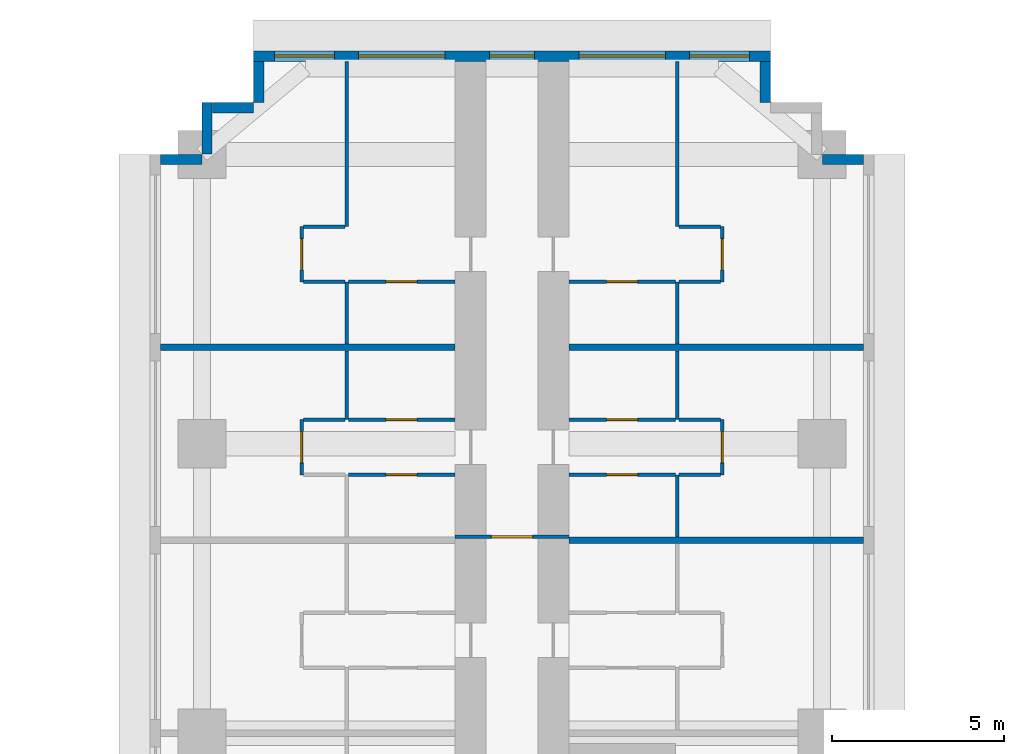
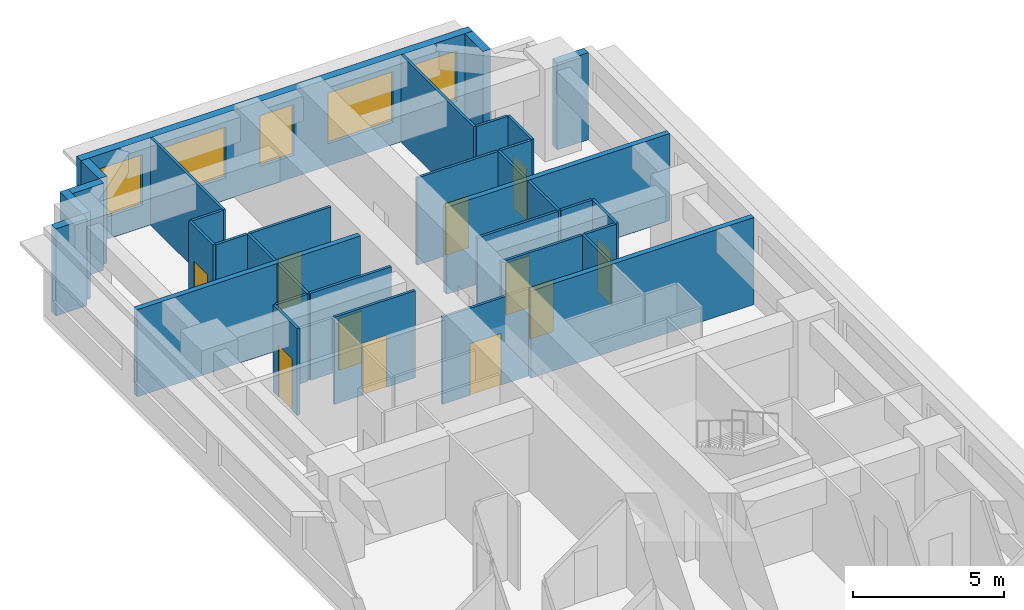
# One storey, part 14 of 16: 35 walls, 11 doors, 5 windows, 16 openings.
"""IFC4 building model written with IfcOpenShell, lengths in metres."""

from ifc_helpers import new_model, si_unit, direction, frame, frame_2d, origin, place, context, subcontext, project, spatial, rectangle, extrude, material, layer, layer_set, type_object, element, fill, save


model = new_model("IFC4")

# Units and contexts
model_context = context("Model", 3, precision=1e-05, world=origin(), true_north=direction((0.0, 1.0)))
body_context = subcontext(model_context, "Body", "Model", "MODEL_VIEW")
ifc_project = project(units=[si_unit("LENGTHUNIT", "METRE"), si_unit("AREAUNIT", "SQUARE_METRE"), si_unit("VOLUMEUNIT", "CUBIC_METRE"), si_unit("PLANEANGLEUNIT", "RADIAN"), si_unit("MASSUNIT", "GRAM", prefix="KILO")], contexts=[model_context])

# Site, building, storey
site_placement = place(None, origin())
site = spatial("IfcSite", under=ifc_project, at=site_placement, CompositionType="ELEMENT")
building_placement = place(site_placement, origin())
building = spatial("IfcBuilding", under=site, at=building_placement, Name="Impinga Residences", CompositionType="ELEMENT")
storey_placement = place(building_placement, frame((0.0, 0.0, 52.25)))
storey = spatial("IfcBuildingStorey", under=building, at=storey_placement, Name="L12", CompositionType="ELEMENT", Elevation=52.25)

# Wall, opening, door
ifc_material_1 = material(Name="Concrete blockwork", Category="masonry")
ifc_layer_1 = layer(ifc_material_1, 0.10009765625)
ifc_layer_set_1 = layer_set([ifc_layer_1], Name="CP1 core room partition, blockwork 100")
wall_type_1 = type_object("IfcWallType", Name="CP1 core room partition, blockwork 100", PredefinedType="PARTITIONING", material=ifc_layer_set_1)
wall_1_placement = place(storey_placement, frame((-1.64990234375, 33.93798828125, 0.0), z_axis=(0.0, 0.0, 1.0), x_axis=(1.0, 0.0, 0.0)))
wall_1 = element("IfcWall", 1, at=wall_1_placement, inside=storey, type_object=wall_type_1, Name="Core room partition, blockwork L12:N:SCR", PredefinedType="PARTITIONING", context=body_context, shape_type="SweptSolid", body=[
    extrude(rectangle(XDim=3.2998046875, YDim=0.10009765625, at=frame_2d((1.64990234375, 0.0))), origin(), (0.0, 0.0, 1.0), 3.530029296875),
])
opening_1_placement = place(wall_1_placement, frame((1.050048828125, 0.0, 0.0)))
opening_1 = element("IfcOpeningElement", 2, at=opening_1_placement, cuts=wall_1, Name="Opening D3", PredefinedType="OPENING", context=body_context, shape_type="SweptSolid", body=[
    extrude(rectangle(XDim=1.199951171875, YDim=2.10009765625, at=frame_2d((0.60009765625, 1.050048828125))), frame((0.0, 0.06005859375, 0.0), z_axis=(0.0, -1.0, 0.0), x_axis=(1.0, 0.0, 0.0)), (0.0, 0.0, 1.0), 0.1201171875),
])
ifc_material_2 = material(Name="Timber door set", Category="wood")
door_type_1 = type_object("IfcDoorType", Name="D3 room door, leaf and a half 1200x2100", OperationType="DOUBLE_SWING_LEFT", PredefinedType="DOOR", material=ifc_material_2)
door_1_placement = place(opening_1_placement, origin())
door_1 = element("IfcDoor", 3, at=door_1_placement, inside=storey, type_object=door_type_1, Name="Corridor smoke door N", OperationType="DOUBLE_SWING_LEFT", OverallHeight=2.10009765625, OverallWidth=1.199951171875, PredefinedType="DOOR", context=body_context, shape_type="SweptSolid", body=[
    extrude(rectangle(XDim=1.199951171875, YDim=2.10009765625, at=frame_2d((0.60009765625, 1.050048828125))), frame((0.0, 0.02490234375, 0.0), z_axis=(0.0, -1.0, 0.0), x_axis=(1.0, 0.0, 0.0)), (0.0, 0.0, 1.0), 0.050048828125),
])
fill(opening_1, door_1)

# Walls
ifc_material_3 = material(Name="Terracotta rainscreen on blockwork", Category="masonry")
ifc_layer_2 = layer(ifc_material_3, 0.300048828125)
ifc_layer_set_2 = layer_set([ifc_layer_2], Name="EW1 external wall, terracotta rainscreen on blockwork 300")
wall_type_2 = type_object("IfcWallType", Name="EW1 external wall, terracotta rainscreen on blockwork 300", PredefinedType="SOLIDWALL", material=ifc_layer_set_2)
wall_2_placement = place(storey_placement, frame((-10.199951171875, 44.881591796875, 0.0), z_axis=(0.0, 0.0, 1.0), x_axis=(1.0, 0.0, 0.0)))
element("IfcWall", 4, at=wall_2_placement, inside=storey, type_object=wall_type_2, Name="External wall EW1 L12", PredefinedType="SOLIDWALL", context=body_context, shape_type="SweptSolid", body=[
    extrude(rectangle(XDim=1.199951171875, YDim=0.300048828125, at=frame_2d((0.60009765625, 0.0))), origin(), (0.0, 0.0, 1.0), 3.530029296875),
])
wall_3_placement = place(storey_placement, frame((-8.85009765625, 45.03662109375, 0.0), z_axis=(0.0, 0.0, 1.0), x_axis=(0.0, 1.0, 0.0)))
element("IfcWall", 5, at=wall_3_placement, inside=storey, type_object=wall_type_2, Name="External wall EW1 L12", PredefinedType="SOLIDWALL", context=body_context, shape_type="SweptSolid", body=[
    extrude(rectangle(XDim=1.494873046875, YDim=0.300048828125, at=frame_2d((0.74755859375, 0.0))), origin(), (0.0, 0.0, 1.0), 3.530029296875),
])
wall_4_placement = place(storey_placement, frame((-8.699951171875, 46.381591796875, 0.0), z_axis=(0.0, 0.0, 1.0), x_axis=(1.0, 0.0, 0.0)))
element("IfcWall", 6, at=wall_4_placement, inside=storey, type_object=wall_type_2, Name="External wall EW1 L12", PredefinedType="SOLIDWALL", context=body_context, shape_type="SweptSolid", body=[
    extrude(rectangle(XDim=1.199951171875, YDim=0.300048828125, at=frame_2d((0.60009765625, 0.0))), origin(), (0.0, 0.0, 1.0), 3.530029296875),
])
wall_5_placement = place(storey_placement, frame((-7.35009765625, 46.53662109375, 0.0), z_axis=(0.0, 0.0, 1.0), x_axis=(0.0, 1.0, 0.0)))
element("IfcWall", 7, at=wall_5_placement, inside=storey, type_object=wall_type_2, Name="External wall EW1 L12", PredefinedType="SOLIDWALL", context=body_context, shape_type="SweptSolid", body=[
    extrude(rectangle(XDim=1.19482421875, YDim=0.300048828125, at=frame_2d((0.597412109375, 0.0))), origin(), (0.0, 0.0, 1.0), 3.530029296875),
])

# Wall, openings, windows
wall_6_placement = place(storey_placement, frame((-7.5, 47.881591796875, 0.0), z_axis=(0.0, 0.0, 1.0), x_axis=(1.0, 0.0, 0.0)))
wall_6 = element("IfcWall", 8, at=wall_6_placement, inside=storey, type_object=wall_type_2, Name="External wall EW1 L12", PredefinedType="SOLIDWALL", context=body_context, shape_type="SweptSolid", body=[
    extrude(rectangle(XDim=15.0, YDim=0.300048828125, at=frame_2d((7.5, 0.0))), origin(), (0.0, 0.0, 1.0), 3.530029296875),
])
opening_2_placement = place(wall_6_placement, frame((0.60009765625, 0.0, 0.89990234375)))
opening_2 = element("IfcOpeningElement", 9, at=opening_2_placement, cuts=wall_6, Name="Opening W1", PredefinedType="OPENING", context=body_context, shape_type="SweptSolid", body=[
    extrude(rectangle(XDim=1.75, YDim=2.050048828125, at=frame_2d((0.875, 1.02490234375))), frame((0.0, 0.159912109375, 0.0), z_axis=(0.0, -1.0, 0.0), x_axis=(1.0, 0.0, 0.0)), (0.0, 0.0, 1.0), 0.320068359375),
])
opening_3_placement = place(wall_6_placement, frame((3.050048828125, 0.0, 0.89990234375)))
opening_3 = element("IfcOpeningElement", 10, at=opening_3_placement, cuts=wall_6, Name="Opening W2", PredefinedType="OPENING", context=body_context, shape_type="SweptSolid", body=[
    extrude(rectangle(XDim=2.5, YDim=2.050048828125, at=frame_2d((1.25, 1.02490234375))), frame((0.0, 0.159912109375, 0.0), z_axis=(0.0, -1.0, 0.0), x_axis=(1.0, 0.0, 0.0)), (0.0, 0.0, 1.0), 0.320068359375),
])
opening_4_placement = place(wall_6_placement, frame((6.85009765625, 0.0, 0.89990234375)))
opening_4 = element("IfcOpeningElement", 11, at=opening_4_placement, cuts=wall_6, Name="Opening WE1", PredefinedType="OPENING", context=body_context, shape_type="SweptSolid", body=[
    extrude(rectangle(XDim=1.300048828125, YDim=2.050048828125, at=frame_2d((0.64990234375, 1.02490234375))), frame((0.0, 0.159912109375, 0.0), z_axis=(0.0, -1.0, 0.0), x_axis=(1.0, 0.0, 0.0)), (0.0, 0.0, 1.0), 0.320068359375),
])
opening_5_placement = place(wall_6_placement, frame((9.449951171875, 0.0, 0.89990234375)))
opening_5 = element("IfcOpeningElement", 12, at=opening_5_placement, cuts=wall_6, Name="Opening W2", PredefinedType="OPENING", context=body_context, shape_type="SweptSolid", body=[
    extrude(rectangle(XDim=2.5, YDim=2.050048828125, at=frame_2d((1.25, 1.02490234375))), frame((0.0, 0.159912109375, 0.0), z_axis=(0.0, -1.0, 0.0), x_axis=(1.0, 0.0, 0.0)), (0.0, 0.0, 1.0), 0.320068359375),
])
opening_6_placement = place(wall_6_placement, frame((12.64990234375, 0.0, 0.89990234375)))
opening_6 = element("IfcOpeningElement", 13, at=opening_6_placement, cuts=wall_6, Name="Opening W1", PredefinedType="OPENING", context=body_context, shape_type="SweptSolid", body=[
    extrude(rectangle(XDim=1.75, YDim=2.050048828125, at=frame_2d((0.875, 1.02490234375))), frame((0.0, 0.159912109375, 0.0), z_axis=(0.0, -1.0, 0.0), x_axis=(1.0, 0.0, 0.0)), (0.0, 0.0, 1.0), 0.320068359375),
])
ifc_material_4 = material(Name="Aluminium window, clear double glazing", Category="aluminium")
window_type_1 = type_object("IfcWindowType", Name="W1 ribbon window 1750x2050", PartitioningType="SINGLE_PANEL", PredefinedType="WINDOW", material=ifc_material_4)
window_1_placement = place(opening_2_placement, origin())
window_1 = element("IfcWindow", 14, at=window_1_placement, inside=storey, type_object=window_type_1, Name="Window L12", OverallHeight=2.050048828125, OverallWidth=1.75, PartitioningType="SINGLE_PANEL", PredefinedType="WINDOW", context=body_context, shape_type="SweptSolid", body=[
    extrude(rectangle(XDim=1.75, YDim=2.050048828125, at=frame_2d((0.875, 1.02490234375))), frame((0.0, 0.030029296875, 0.0), z_axis=(0.0, -1.0, 0.0), x_axis=(1.0, 0.0, 0.0)), (0.0, 0.0, 1.0), 0.06005859375),
])
fill(opening_2, window_1)
window_2_placement = place(opening_6_placement, origin())
window_2 = element("IfcWindow", 15, at=window_2_placement, inside=storey, type_object=window_type_1, Name="Window L12", OverallHeight=2.050048828125, OverallWidth=1.75, PartitioningType="SINGLE_PANEL", PredefinedType="WINDOW", context=body_context, shape_type="SweptSolid", body=[
    extrude(rectangle(XDim=1.75, YDim=2.050048828125, at=frame_2d((0.875, 1.02490234375))), frame((0.0, 0.030029296875, 0.0), z_axis=(0.0, -1.0, 0.0), x_axis=(1.0, 0.0, 0.0)), (0.0, 0.0, 1.0), 0.06005859375),
])
fill(opening_6, window_2)
window_type_2 = type_object("IfcWindowType", Name="W2 ribbon window 2500x2050", PartitioningType="SINGLE_PANEL", PredefinedType="WINDOW", material=ifc_material_4)
window_3_placement = place(opening_3_placement, origin())
window_3 = element("IfcWindow", 16, at=window_3_placement, inside=storey, type_object=window_type_2, Name="Window L12", OverallHeight=2.050048828125, OverallWidth=2.5, PartitioningType="SINGLE_PANEL", PredefinedType="WINDOW", context=body_context, shape_type="SweptSolid", body=[
    extrude(rectangle(XDim=2.5, YDim=2.050048828125, at=frame_2d((1.25, 1.02490234375))), frame((0.0, 0.030029296875, 0.0), z_axis=(0.0, -1.0, 0.0), x_axis=(1.0, 0.0, 0.0)), (0.0, 0.0, 1.0), 0.06005859375),
])
fill(opening_3, window_3)
window_4_placement = place(opening_5_placement, origin())
window_4 = element("IfcWindow", 17, at=window_4_placement, inside=storey, type_object=window_type_2, Name="Window L12", OverallHeight=2.050048828125, OverallWidth=2.5, PartitioningType="SINGLE_PANEL", PredefinedType="WINDOW", context=body_context, shape_type="SweptSolid", body=[
    extrude(rectangle(XDim=2.5, YDim=2.050048828125, at=frame_2d((1.25, 1.02490234375))), frame((0.0, 0.030029296875, 0.0), z_axis=(0.0, -1.0, 0.0), x_axis=(1.0, 0.0, 0.0)), (0.0, 0.0, 1.0), 0.06005859375),
])
fill(opening_5, window_4)
window_type_3 = type_object("IfcWindowType", Name="WE1 corridor window 1300x2050", PartitioningType="SINGLE_PANEL", PredefinedType="WINDOW", material=ifc_material_4)
window_5_placement = place(opening_4_placement, origin())
window_5 = element("IfcWindow", 18, at=window_5_placement, inside=storey, type_object=window_type_3, Name="Window L12", OverallHeight=2.050048828125, OverallWidth=1.300048828125, PartitioningType="SINGLE_PANEL", PredefinedType="WINDOW", context=body_context, shape_type="SweptSolid", body=[
    extrude(rectangle(XDim=1.300048828125, YDim=2.050048828125, at=frame_2d((0.64990234375, 1.02490234375))), frame((0.0, 0.030029296875, 0.0), z_axis=(0.0, -1.0, 0.0), x_axis=(1.0, 0.0, 0.0)), (0.0, 0.0, 1.0), 0.06005859375),
])
fill(opening_4, window_5)

# Walls
wall_7_placement = place(storey_placement, frame((7.35009765625, 47.7314453125, 0.0), z_axis=(0.0, 0.0, 1.0), x_axis=(0.0, -1.0, 0.0)))
element("IfcWall", 19, at=wall_7_placement, inside=storey, type_object=wall_type_2, Name="External wall EW1 L12", PredefinedType="SOLIDWALL", context=body_context, shape_type="SweptSolid", body=[
    extrude(rectangle(XDim=1.19482421875, YDim=0.300048828125, at=frame_2d((0.597412109375, 0.0))), origin(), (0.0, 0.0, 1.0), 3.530029296875),
])
wall_8_placement = place(storey_placement, frame((9.0048828125, 44.881591796875, 0.0), z_axis=(0.0, 0.0, 1.0), x_axis=(1.0, 0.0, 0.0)))
element("IfcWall", 20, at=wall_8_placement, inside=storey, type_object=wall_type_2, Name="External wall EW1 L12", PredefinedType="SOLIDWALL", context=body_context, shape_type="SweptSolid", body=[
    extrude(rectangle(XDim=1.195068359375, YDim=0.300048828125, at=frame_2d((0.59765625, 0.0))), origin(), (0.0, 0.0, 1.0), 3.530029296875),
])
ifc_material_5 = material(Name="Gypsum board on steel studs", Category="steel")
ifc_layer_3 = layer(ifc_material_5, 0.10009765625)
ifc_layer_set_3 = layer_set([ifc_layer_3], Name="Gypsum board on steel studs")
wall_type_3 = type_object("IfcWallType", Name="IP1 partition 100", PredefinedType="PARTITIONING", material=ifc_layer_set_3)
wall_9_placement = place(storey_placement, frame((-4.800048828125, 37.33154296875, 0.0), z_axis=(0.0, 0.0, 1.0), x_axis=(0.0, 1.0, 0.0)))
element("IfcWall", 21, at=wall_9_placement, inside=storey, type_object=wall_type_3, Name="Partition L12-NA4:DIV1", PredefinedType="PARTITIONING", context=body_context, shape_type="SweptSolid", body=[
    extrude(rectangle(XDim=2.0, YDim=0.10009765625, at=frame_2d((1.0, 0.0))), origin(), (0.0, 0.0, 1.0), 3.530029296875),
])

# Wall, opening, door
wall_10_placement = place(storey_placement, frame((-6.10009765625, 35.7314453125, 0.0), z_axis=(0.0, 0.0, 1.0), x_axis=(0.0, 1.0, 0.0)))
wall_10 = element("IfcWall", 22, at=wall_10_placement, inside=storey, type_object=wall_type_3, Name="Partition L12-NA4:STRIP", PredefinedType="PARTITIONING", context=body_context, shape_type="SweptSolid", body=[
    extrude(rectangle(XDim=1.60009765625, YDim=0.10009765625, at=frame_2d((0.800048828125, 0.0))), origin(), (0.0, 0.0, 1.0), 3.530029296875),
])
opening_7_placement = place(wall_10_placement, frame((0.35009765625, 0.0, 0.0)))
opening_7 = element("IfcOpeningElement", 23, at=opening_7_placement, cuts=wall_10, Name="Opening D2", PredefinedType="OPENING", context=body_context, shape_type="SweptSolid", body=[
    extrude(rectangle(XDim=0.89990234375, YDim=2.10009765625, at=frame_2d((0.449951171875, 1.050048828125))), frame((0.0, 0.06005859375, 0.0), z_axis=(0.0, -1.0, 0.0), x_axis=(1.0, 0.0, 0.0)), (0.0, 0.0, 1.0), 0.1201171875),
])
door_type_2 = type_object("IfcDoorType", Name="D2 internal door 900x2100", OperationType="SINGLE_SWING_LEFT", PredefinedType="DOOR", material=ifc_material_2)
door_2_placement = place(opening_7_placement, origin())
door_2 = element("IfcDoor", 24, at=door_2_placement, inside=storey, type_object=door_type_2, Name="Apartment L12-NA4 room door", OperationType="SINGLE_SWING_LEFT", OverallHeight=2.10009765625, OverallWidth=0.89990234375, PredefinedType="DOOR", context=body_context, shape_type="SweptSolid", body=[
    extrude(rectangle(XDim=0.89990234375, YDim=2.10009765625, at=frame_2d((0.449951171875, 1.050048828125))), frame((0.0, 0.02490234375, 0.0), z_axis=(0.0, -1.0, 0.0), x_axis=(1.0, 0.0, 0.0)), (0.0, 0.0, 1.0), 0.050048828125),
])
fill(opening_7, door_2)

# Wall
wall_11_placement = place(storey_placement, frame((-4.85009765625, 37.33154296875, 0.0), z_axis=(0.0, 0.0, 1.0), x_axis=(-1.0, 0.0, 0.0)))
element("IfcWall", 25, at=wall_11_placement, inside=storey, type_object=wall_type_3, Name="Partition L12-NA4:SE1", PredefinedType="PARTITIONING", context=body_context, shape_type="SweptSolid", body=[
    extrude(rectangle(XDim=1.199951171875, YDim=0.10009765625, at=frame_2d((0.60009765625, 0.0))), origin(), (0.0, 0.0, 1.0), 3.530029296875),
])

# Wall, opening, door
wall_12_placement = place(storey_placement, frame((-1.64990234375, 35.7314453125, 0.0), z_axis=(0.0, 0.0, 1.0), x_axis=(-1.0, 0.0, 0.0)))
wall_12 = element("IfcWall", 26, at=wall_12_placement, inside=storey, type_object=wall_type_3, Name="Partition L12-NA4:IB1", PredefinedType="PARTITIONING", context=body_context, shape_type="SweptSolid", body=[
    extrude(rectangle(XDim=3.10009765625, YDim=0.10009765625, at=frame_2d((1.550048828125, 0.0))), origin(), (0.0, 0.0, 1.0), 3.530029296875),
])
opening_8_placement = place(wall_12_placement, frame((1.10009765625, 0.0, 0.0)))
opening_8 = element("IfcOpeningElement", 27, at=opening_8_placement, cuts=wall_12, Name="Opening D2", PredefinedType="OPENING", context=body_context, shape_type="SweptSolid", body=[
    extrude(rectangle(XDim=0.89990234375, YDim=2.10009765625, at=frame_2d((0.449951171875, 1.050048828125))), frame((0.0, 0.06005859375, 0.0), z_axis=(0.0, -1.0, 0.0), x_axis=(1.0, 0.0, 0.0)), (0.0, 0.0, 1.0), 0.1201171875),
])
door_3_placement = place(opening_8_placement, origin())
door_3 = element("IfcDoor", 28, at=door_3_placement, inside=storey, type_object=door_type_2, Name="Apartment L12-NA4 bathroom door", OperationType="SINGLE_SWING_LEFT", OverallHeight=2.10009765625, OverallWidth=0.89990234375, PredefinedType="DOOR", context=body_context, shape_type="SweptSolid", body=[
    extrude(rectangle(XDim=0.89990234375, YDim=2.10009765625, at=frame_2d((0.449951171875, 1.050048828125))), frame((0.0, 0.02490234375, 0.0), z_axis=(0.0, -1.0, 0.0), x_axis=(1.0, 0.0, 0.0)), (0.0, 0.0, 1.0), 0.050048828125),
])
fill(opening_8, door_3)

wall_13_placement = place(storey_placement, frame((-1.64990234375, 37.33154296875, 0.0), z_axis=(0.0, 0.0, 1.0), x_axis=(-1.0, 0.0, 0.0)))
wall_13 = element("IfcWall", 29, at=wall_13_placement, inside=storey, type_object=wall_type_3, Name="Partition L12-NA4:IB2", PredefinedType="PARTITIONING", context=body_context, shape_type="SweptSolid", body=[
    extrude(rectangle(XDim=3.10009765625, YDim=0.10009765625, at=frame_2d((1.550048828125, 0.0))), origin(), (0.0, 0.0, 1.0), 3.530029296875),
])
opening_9_placement = place(wall_13_placement, frame((1.10009765625, 0.0, 0.0)))
opening_9 = element("IfcOpeningElement", 30, at=opening_9_placement, cuts=wall_13, Name="Opening D2", PredefinedType="OPENING", context=body_context, shape_type="SweptSolid", body=[
    extrude(rectangle(XDim=0.89990234375, YDim=2.10009765625, at=frame_2d((0.449951171875, 1.050048828125))), frame((0.0, 0.06005859375, 0.0), z_axis=(0.0, -1.0, 0.0), x_axis=(1.0, 0.0, 0.0)), (0.0, 0.0, 1.0), 0.1201171875),
])
door_4_placement = place(opening_9_placement, origin())
door_4 = element("IfcDoor", 31, at=door_4_placement, inside=storey, type_object=door_type_2, Name="Apartment L12-NA4 WC door", OperationType="SINGLE_SWING_LEFT", OverallHeight=2.10009765625, OverallWidth=0.89990234375, PredefinedType="DOOR", context=body_context, shape_type="SweptSolid", body=[
    extrude(rectangle(XDim=0.89990234375, YDim=2.10009765625, at=frame_2d((0.449951171875, 1.050048828125))), frame((0.0, 0.02490234375, 0.0), z_axis=(0.0, -1.0, 0.0), x_axis=(1.0, 0.0, 0.0)), (0.0, 0.0, 1.0), 0.050048828125),
])
fill(opening_9, door_4)

# Walls
wall_14_placement = place(storey_placement, frame((-4.800048828125, 39.531494140625, 0.0), z_axis=(0.0, 0.0, 1.0), x_axis=(0.0, 1.0, 0.0)))
element("IfcWall", 32, at=wall_14_placement, inside=storey, type_object=wall_type_3, Name="Partition L12-NA5:DIV0", PredefinedType="PARTITIONING", context=body_context, shape_type="SweptSolid", body=[
    extrude(rectangle(XDim=1.800048828125, YDim=0.10009765625, at=frame_2d((0.89990234375, 0.0))), origin(), (0.0, 0.0, 1.0), 3.530029296875),
])
wall_15_placement = place(storey_placement, frame((-4.800048828125, 42.931640625, 0.0), z_axis=(0.0, 0.0, 1.0), x_axis=(0.0, 1.0, 0.0)))
element("IfcWall", 33, at=wall_15_placement, inside=storey, type_object=wall_type_3, Name="Partition L12-NA5:DIV1", PredefinedType="PARTITIONING", context=body_context, shape_type="SweptSolid", body=[
    extrude(rectangle(XDim=4.7998046875, YDim=0.10009765625, at=frame_2d((2.39990234375, 0.0))), origin(), (0.0, 0.0, 1.0), 3.530029296875),
])

# Wall, opening, door
wall_16_placement = place(storey_placement, frame((-6.10009765625, 41.33154296875, 0.0), z_axis=(0.0, 0.0, 1.0), x_axis=(0.0, 1.0, 0.0)))
wall_16 = element("IfcWall", 34, at=wall_16_placement, inside=storey, type_object=wall_type_3, Name="Partition L12-NA5:STRIP", PredefinedType="PARTITIONING", context=body_context, shape_type="SweptSolid", body=[
    extrude(rectangle(XDim=1.60009765625, YDim=0.10009765625, at=frame_2d((0.800048828125, 0.0))), origin(), (0.0, 0.0, 1.0), 3.530029296875),
])
opening_10_placement = place(wall_16_placement, frame((0.35009765625, 0.0, 0.0)))
opening_10 = element("IfcOpeningElement", 35, at=opening_10_placement, cuts=wall_16, Name="Opening D2", PredefinedType="OPENING", context=body_context, shape_type="SweptSolid", body=[
    extrude(rectangle(XDim=0.89990234375, YDim=2.10009765625, at=frame_2d((0.449951171875, 1.050048828125))), frame((0.0, 0.06005859375, 0.0), z_axis=(0.0, -1.0, 0.0), x_axis=(1.0, 0.0, 0.0)), (0.0, 0.0, 1.0), 0.1201171875),
])
door_5_placement = place(opening_10_placement, origin())
door_5 = element("IfcDoor", 36, at=door_5_placement, inside=storey, type_object=door_type_2, Name="Apartment L12-NA5 room door", OperationType="SINGLE_SWING_LEFT", OverallHeight=2.10009765625, OverallWidth=0.89990234375, PredefinedType="DOOR", context=body_context, shape_type="SweptSolid", body=[
    extrude(rectangle(XDim=0.89990234375, YDim=2.10009765625, at=frame_2d((0.449951171875, 1.050048828125))), frame((0.0, 0.02490234375, 0.0), z_axis=(0.0, -1.0, 0.0), x_axis=(1.0, 0.0, 0.0)), (0.0, 0.0, 1.0), 0.050048828125),
])
fill(opening_10, door_5)

# Walls
for number, where, z_axis, x_axis, name in (
    (37, (-4.85009765625, 41.33154296875, 0.0), (0.0, 0.0, 1.0), (-1.0, 0.0, 0.0), "Partition L12-NA5:SE0"),
    (38, (-4.85009765625, 42.931640625, 0.0), (0.0, 0.0, 1.0), (-1.0, 0.0, 0.0), "Partition L12-NA5:SE1"),
):
    element("IfcWall", number, at=place(storey_placement, frame(where, z_axis=z_axis, x_axis=x_axis)), inside=storey, type_object=wall_type_3, Name=name, PredefinedType="PARTITIONING", context=body_context, shape_type="SweptSolid", body=[
        extrude(rectangle(XDim=1.199951171875, YDim=0.10009765625, at=frame_2d((0.60009765625, 0.0))), origin(), (0.0, 0.0, 1.0), 3.530029296875),
    ])

# Wall, opening, door
wall_17_placement = place(storey_placement, frame((-1.64990234375, 41.33154296875, 0.0), z_axis=(0.0, 0.0, 1.0), x_axis=(-1.0, 0.0, 0.0)))
wall_17 = element("IfcWall", 39, at=wall_17_placement, inside=storey, type_object=wall_type_3, Name="Partition L12-NA5:IB1", PredefinedType="PARTITIONING", context=body_context, shape_type="SweptSolid", body=[
    extrude(rectangle(XDim=3.10009765625, YDim=0.10009765625, at=frame_2d((1.550048828125, 0.0))), origin(), (0.0, 0.0, 1.0), 3.530029296875),
])
opening_11_placement = place(wall_17_placement, frame((1.10009765625, 0.0, 0.0)))
opening_11 = element("IfcOpeningElement", 40, at=opening_11_placement, cuts=wall_17, Name="Opening D2", PredefinedType="OPENING", context=body_context, shape_type="SweptSolid", body=[
    extrude(rectangle(XDim=0.89990234375, YDim=2.10009765625, at=frame_2d((0.449951171875, 1.050048828125))), frame((0.0, 0.06005859375, 0.0), z_axis=(0.0, -1.0, 0.0), x_axis=(1.0, 0.0, 0.0)), (0.0, 0.0, 1.0), 0.1201171875),
])
door_6_placement = place(opening_11_placement, origin())
door_6 = element("IfcDoor", 41, at=door_6_placement, inside=storey, type_object=door_type_2, Name="Apartment L12-NA5 bathroom door", OperationType="SINGLE_SWING_LEFT", OverallHeight=2.10009765625, OverallWidth=0.89990234375, PredefinedType="DOOR", context=body_context, shape_type="SweptSolid", body=[
    extrude(rectangle(XDim=0.89990234375, YDim=2.10009765625, at=frame_2d((0.449951171875, 1.050048828125))), frame((0.0, 0.02490234375, 0.0), z_axis=(0.0, -1.0, 0.0), x_axis=(1.0, 0.0, 0.0)), (0.0, 0.0, 1.0), 0.050048828125),
])
fill(opening_11, door_6)

# Walls
wall_18_placement = place(storey_placement, frame((4.800048828125, 33.931640625, 0.0), z_axis=(0.0, 0.0, 1.0), x_axis=(0.0, 1.0, 0.0)))
element("IfcWall", 42, at=wall_18_placement, inside=storey, type_object=wall_type_3, Name="Partition L12-NF3:DIV0", PredefinedType="PARTITIONING", context=body_context, shape_type="SweptSolid", body=[
    extrude(rectangle(XDim=1.7998046875, YDim=0.10009765625, at=frame_2d((0.89990234375, 0.0))), origin(), (0.0, 0.0, 1.0), 3.530029296875),
])
wall_19_placement = place(storey_placement, frame((4.800048828125, 37.33154296875, 0.0), z_axis=(0.0, 0.0, 1.0), x_axis=(0.0, 1.0, 0.0)))
element("IfcWall", 43, at=wall_19_placement, inside=storey, type_object=wall_type_3, Name="Partition L12-NF3:DIV1", PredefinedType="PARTITIONING", context=body_context, shape_type="SweptSolid", body=[
    extrude(rectangle(XDim=2.0, YDim=0.10009765625, at=frame_2d((1.0, 0.0))), origin(), (0.0, 0.0, 1.0), 3.530029296875),
])

# Wall, opening, door
wall_20_placement = place(storey_placement, frame((6.10009765625, 35.7314453125, 0.0), z_axis=(0.0, 0.0, 1.0), x_axis=(0.0, 1.0, 0.0)))
wall_20 = element("IfcWall", 44, at=wall_20_placement, inside=storey, type_object=wall_type_3, Name="Partition L12-NF3:STRIP", PredefinedType="PARTITIONING", context=body_context, shape_type="SweptSolid", body=[
    extrude(rectangle(XDim=1.60009765625, YDim=0.10009765625, at=frame_2d((0.800048828125, 0.0))), origin(), (0.0, 0.0, 1.0), 3.530029296875),
])
opening_12_placement = place(wall_20_placement, frame((0.35009765625, 0.0, 0.0)))
opening_12 = element("IfcOpeningElement", 45, at=opening_12_placement, cuts=wall_20, Name="Opening D2", PredefinedType="OPENING", context=body_context, shape_type="SweptSolid", body=[
    extrude(rectangle(XDim=0.89990234375, YDim=2.10009765625, at=frame_2d((0.449951171875, 1.050048828125))), frame((0.0, 0.06005859375, 0.0), z_axis=(0.0, -1.0, 0.0), x_axis=(1.0, 0.0, 0.0)), (0.0, 0.0, 1.0), 0.1201171875),
])
door_7_placement = place(opening_12_placement, origin())
door_7 = element("IfcDoor", 46, at=door_7_placement, inside=storey, type_object=door_type_2, Name="Apartment L12-NF3 room door", OperationType="SINGLE_SWING_LEFT", OverallHeight=2.10009765625, OverallWidth=0.89990234375, PredefinedType="DOOR", context=body_context, shape_type="SweptSolid", body=[
    extrude(rectangle(XDim=0.89990234375, YDim=2.10009765625, at=frame_2d((0.449951171875, 1.050048828125))), frame((0.0, 0.02490234375, 0.0), z_axis=(0.0, -1.0, 0.0), x_axis=(1.0, 0.0, 0.0)), (0.0, 0.0, 1.0), 0.050048828125),
])
fill(opening_12, door_7)

# Walls
for number, where, z_axis, x_axis, name in (
    (47, (4.85009765625, 35.7314453125, 0.0), (0.0, 0.0, 1.0), (1.0, 0.0, 0.0), "Partition L12-NF3:SE0"),
    (48, (4.85009765625, 37.33154296875, 0.0), (0.0, 0.0, 1.0), (1.0, 0.0, 0.0), "Partition L12-NF3:SE1"),
):
    element("IfcWall", number, at=place(storey_placement, frame(where, z_axis=z_axis, x_axis=x_axis)), inside=storey, type_object=wall_type_3, Name=name, PredefinedType="PARTITIONING", context=body_context, shape_type="SweptSolid", body=[
        extrude(rectangle(XDim=1.199951171875, YDim=0.10009765625, at=frame_2d((0.60009765625, 0.0))), origin(), (0.0, 0.0, 1.0), 3.530029296875),
    ])

# Wall, opening, door
wall_21_placement = place(storey_placement, frame((1.64990234375, 35.7314453125, 0.0), z_axis=(0.0, 0.0, 1.0), x_axis=(1.0, 0.0, 0.0)))
wall_21 = element("IfcWall", 49, at=wall_21_placement, inside=storey, type_object=wall_type_3, Name="Partition L12-NF3:IB1", PredefinedType="PARTITIONING", context=body_context, shape_type="SweptSolid", body=[
    extrude(rectangle(XDim=3.10009765625, YDim=0.10009765625, at=frame_2d((1.550048828125, 0.0))), origin(), (0.0, 0.0, 1.0), 3.530029296875),
])
opening_13_placement = place(wall_21_placement, frame((1.10009765625, 0.0, 0.0)))
opening_13 = element("IfcOpeningElement", 50, at=opening_13_placement, cuts=wall_21, Name="Opening D2", PredefinedType="OPENING", context=body_context, shape_type="SweptSolid", body=[
    extrude(rectangle(XDim=0.89990234375, YDim=2.10009765625, at=frame_2d((0.449951171875, 1.050048828125))), frame((0.0, 0.06005859375, 0.0), z_axis=(0.0, -1.0, 0.0), x_axis=(1.0, 0.0, 0.0)), (0.0, 0.0, 1.0), 0.1201171875),
])
door_8_placement = place(opening_13_placement, origin())
door_8 = element("IfcDoor", 51, at=door_8_placement, inside=storey, type_object=door_type_2, Name="Apartment L12-NF3 bathroom door", OperationType="SINGLE_SWING_LEFT", OverallHeight=2.10009765625, OverallWidth=0.89990234375, PredefinedType="DOOR", context=body_context, shape_type="SweptSolid", body=[
    extrude(rectangle(XDim=0.89990234375, YDim=2.10009765625, at=frame_2d((0.449951171875, 1.050048828125))), frame((0.0, 0.02490234375, 0.0), z_axis=(0.0, -1.0, 0.0), x_axis=(1.0, 0.0, 0.0)), (0.0, 0.0, 1.0), 0.050048828125),
])
fill(opening_13, door_8)

wall_22_placement = place(storey_placement, frame((1.64990234375, 37.33154296875, 0.0), z_axis=(0.0, 0.0, 1.0), x_axis=(1.0, 0.0, 0.0)))
wall_22 = element("IfcWall", 52, at=wall_22_placement, inside=storey, type_object=wall_type_3, Name="Partition L12-NF3:IB2", PredefinedType="PARTITIONING", context=body_context, shape_type="SweptSolid", body=[
    extrude(rectangle(XDim=3.10009765625, YDim=0.10009765625, at=frame_2d((1.550048828125, 0.0))), origin(), (0.0, 0.0, 1.0), 3.530029296875),
])
opening_14_placement = place(wall_22_placement, frame((1.10009765625, 0.0, 0.0)))
opening_14 = element("IfcOpeningElement", 53, at=opening_14_placement, cuts=wall_22, Name="Opening D2", PredefinedType="OPENING", context=body_context, shape_type="SweptSolid", body=[
    extrude(rectangle(XDim=0.89990234375, YDim=2.10009765625, at=frame_2d((0.449951171875, 1.050048828125))), frame((0.0, 0.06005859375, 0.0), z_axis=(0.0, -1.0, 0.0), x_axis=(1.0, 0.0, 0.0)), (0.0, 0.0, 1.0), 0.1201171875),
])
door_9_placement = place(opening_14_placement, origin())
door_9 = element("IfcDoor", 54, at=door_9_placement, inside=storey, type_object=door_type_2, Name="Apartment L12-NF3 WC door", OperationType="SINGLE_SWING_LEFT", OverallHeight=2.10009765625, OverallWidth=0.89990234375, PredefinedType="DOOR", context=body_context, shape_type="SweptSolid", body=[
    extrude(rectangle(XDim=0.89990234375, YDim=2.10009765625, at=frame_2d((0.449951171875, 1.050048828125))), frame((0.0, 0.02490234375, 0.0), z_axis=(0.0, -1.0, 0.0), x_axis=(1.0, 0.0, 0.0)), (0.0, 0.0, 1.0), 0.050048828125),
])
fill(opening_14, door_9)

# Walls
wall_23_placement = place(storey_placement, frame((4.800048828125, 39.531494140625, 0.0), z_axis=(0.0, 0.0, 1.0), x_axis=(0.0, 1.0, 0.0)))
element("IfcWall", 55, at=wall_23_placement, inside=storey, type_object=wall_type_3, Name="Partition L12-NF4:DIV0", PredefinedType="PARTITIONING", context=body_context, shape_type="SweptSolid", body=[
    extrude(rectangle(XDim=1.800048828125, YDim=0.10009765625, at=frame_2d((0.89990234375, 0.0))), origin(), (0.0, 0.0, 1.0), 3.530029296875),
])
wall_24_placement = place(storey_placement, frame((4.800048828125, 42.931640625, 0.0), z_axis=(0.0, 0.0, 1.0), x_axis=(0.0, 1.0, 0.0)))
element("IfcWall", 56, at=wall_24_placement, inside=storey, type_object=wall_type_3, Name="Partition L12-NF4:DIV1", PredefinedType="PARTITIONING", context=body_context, shape_type="SweptSolid", body=[
    extrude(rectangle(XDim=4.7998046875, YDim=0.10009765625, at=frame_2d((2.39990234375, 0.0))), origin(), (0.0, 0.0, 1.0), 3.530029296875),
])

# Wall, opening, door
wall_25_placement = place(storey_placement, frame((6.10009765625, 41.33154296875, 0.0), z_axis=(0.0, 0.0, 1.0), x_axis=(0.0, 1.0, 0.0)))
wall_25 = element("IfcWall", 57, at=wall_25_placement, inside=storey, type_object=wall_type_3, Name="Partition L12-NF4:STRIP", PredefinedType="PARTITIONING", context=body_context, shape_type="SweptSolid", body=[
    extrude(rectangle(XDim=1.60009765625, YDim=0.10009765625, at=frame_2d((0.800048828125, 0.0))), origin(), (0.0, 0.0, 1.0), 3.530029296875),
])
opening_15_placement = place(wall_25_placement, frame((0.35009765625, 0.0, 0.0)))
opening_15 = element("IfcOpeningElement", 58, at=opening_15_placement, cuts=wall_25, Name="Opening D2", PredefinedType="OPENING", context=body_context, shape_type="SweptSolid", body=[
    extrude(rectangle(XDim=0.89990234375, YDim=2.10009765625, at=frame_2d((0.449951171875, 1.050048828125))), frame((0.0, 0.06005859375, 0.0), z_axis=(0.0, -1.0, 0.0), x_axis=(1.0, 0.0, 0.0)), (0.0, 0.0, 1.0), 0.1201171875),
])
door_10_placement = place(opening_15_placement, origin())
door_10 = element("IfcDoor", 59, at=door_10_placement, inside=storey, type_object=door_type_2, Name="Apartment L12-NF4 room door", OperationType="SINGLE_SWING_LEFT", OverallHeight=2.10009765625, OverallWidth=0.89990234375, PredefinedType="DOOR", context=body_context, shape_type="SweptSolid", body=[
    extrude(rectangle(XDim=0.89990234375, YDim=2.10009765625, at=frame_2d((0.449951171875, 1.050048828125))), frame((0.0, 0.02490234375, 0.0), z_axis=(0.0, -1.0, 0.0), x_axis=(1.0, 0.0, 0.0)), (0.0, 0.0, 1.0), 0.050048828125),
])
fill(opening_15, door_10)

# Walls
for number, where, z_axis, x_axis, name in (
    (60, (4.85009765625, 41.33154296875, 0.0), (0.0, 0.0, 1.0), (1.0, 0.0, 0.0), "Partition L12-NF4:SE0"),
    (61, (4.85009765625, 42.931640625, 0.0), (0.0, 0.0, 1.0), (1.0, 0.0, 0.0), "Partition L12-NF4:SE1"),
):
    element("IfcWall", number, at=place(storey_placement, frame(where, z_axis=z_axis, x_axis=x_axis)), inside=storey, type_object=wall_type_3, Name=name, PredefinedType="PARTITIONING", context=body_context, shape_type="SweptSolid", body=[
        extrude(rectangle(XDim=1.199951171875, YDim=0.10009765625, at=frame_2d((0.60009765625, 0.0))), origin(), (0.0, 0.0, 1.0), 3.530029296875),
    ])

# Wall, opening, door
wall_26_placement = place(storey_placement, frame((1.64990234375, 41.33154296875, 0.0), z_axis=(0.0, 0.0, 1.0), x_axis=(1.0, 0.0, 0.0)))
wall_26 = element("IfcWall", 62, at=wall_26_placement, inside=storey, type_object=wall_type_3, Name="Partition L12-NF4:IB1", PredefinedType="PARTITIONING", context=body_context, shape_type="SweptSolid", body=[
    extrude(rectangle(XDim=3.10009765625, YDim=0.10009765625, at=frame_2d((1.550048828125, 0.0))), origin(), (0.0, 0.0, 1.0), 3.530029296875),
])
opening_16_placement = place(wall_26_placement, frame((1.10009765625, 0.0, 0.0)))
opening_16 = element("IfcOpeningElement", 63, at=opening_16_placement, cuts=wall_26, Name="Opening D2", PredefinedType="OPENING", context=body_context, shape_type="SweptSolid", body=[
    extrude(rectangle(XDim=0.89990234375, YDim=2.10009765625, at=frame_2d((0.449951171875, 1.050048828125))), frame((0.0, 0.06005859375, 0.0), z_axis=(0.0, -1.0, 0.0), x_axis=(1.0, 0.0, 0.0)), (0.0, 0.0, 1.0), 0.1201171875),
])
door_11_placement = place(opening_16_placement, origin())
door_11 = element("IfcDoor", 64, at=door_11_placement, inside=storey, type_object=door_type_2, Name="Apartment L12-NF4 bathroom door", OperationType="SINGLE_SWING_LEFT", OverallHeight=2.10009765625, OverallWidth=0.89990234375, PredefinedType="DOOR", context=body_context, shape_type="SweptSolid", body=[
    extrude(rectangle(XDim=0.89990234375, YDim=2.10009765625, at=frame_2d((0.449951171875, 1.050048828125))), frame((0.0, 0.02490234375, 0.0), z_axis=(0.0, -1.0, 0.0), x_axis=(1.0, 0.0, 0.0)), (0.0, 0.0, 1.0), 0.050048828125),
])
fill(opening_16, door_11)

# Walls
ifc_layer_4 = layer(ifc_material_1, 0.199951171875)
ifc_layer_set_4 = layer_set([ifc_layer_4], Name="PW1 party wall between apartments 200")
wall_type_4 = type_object("IfcWallType", Name="PW1 party wall between apartments 200", PredefinedType="SOLIDWALL", material=ifc_layer_set_4)
for number, where, z_axis, x_axis, name in (
    (65, (-1.64990234375, 39.431640625, 0.0), (0.0, 0.0, 1.0), (-1.0, 0.0, 0.0), "Party wall between apartments L12-NA4:PARTY"),
    (66, (1.64990234375, 33.83154296875, 0.0), (0.0, 0.0, 1.0), (1.0, 0.0, 0.0), "Party wall between apartments L12-NF2:PARTY"),
    (67, (1.64990234375, 39.431640625, 0.0), (0.0, 0.0, 1.0), (1.0, 0.0, 0.0), "Party wall between apartments L12-NF3:PARTY"),
):
    element("IfcWall", number, at=place(storey_placement, frame(where, z_axis=z_axis, x_axis=x_axis)), inside=storey, type_object=wall_type_4, Name=name, PredefinedType="SOLIDWALL", context=body_context, shape_type="SweptSolid", body=[
        extrude(rectangle(XDim=8.550048828125, YDim=0.199951171875, at=frame_2d((4.27490234375, 0.0))), origin(), (0.0, 0.0, 1.0), 3.530029296875),
    ])

save(model, "model.ifc")
